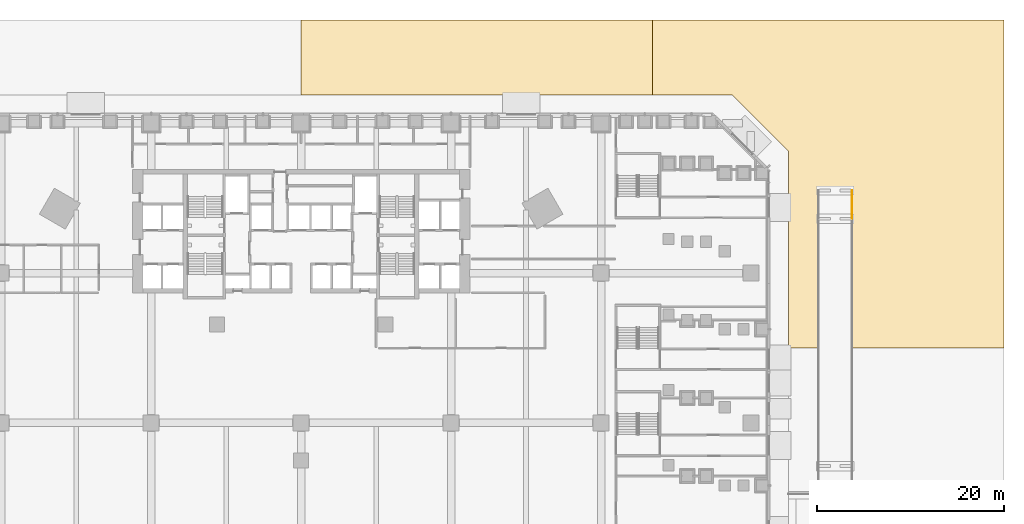
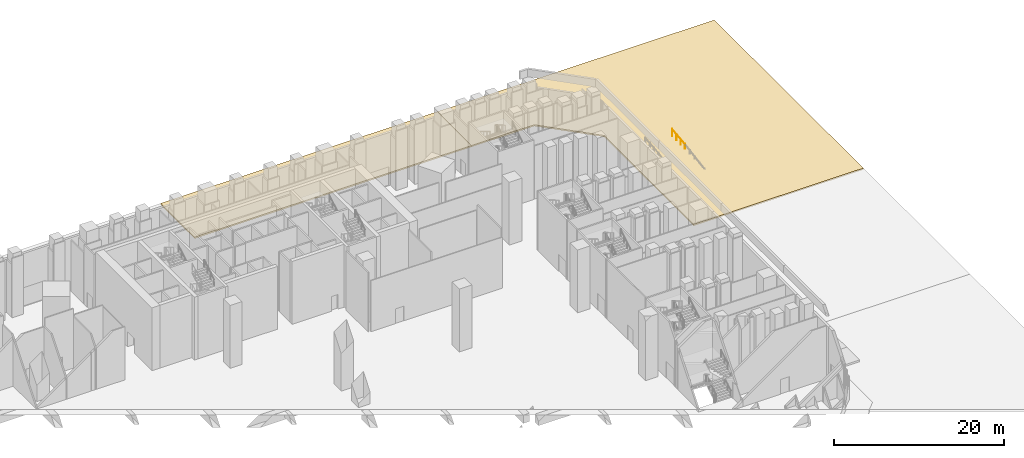
# One storey, part 51 of 51: 2 coverings, 1 railing.
"""IFC4 building model written with IfcOpenShell, lengths in metres."""

from ifc_helpers import new_model, si_unit, direction, frame, origin, origin_2d, place, context, subcontext, project, spatial, polyline, circle, outline, extrude, material, layer, layer_set, type_object, element, save


model = new_model("IFC4")

# Units and contexts
model_context = context("Model", 3, precision=1e-05, world=origin(), true_north=direction((0.0, 1.0)))
body_context = subcontext(model_context, "Body", "Model", "MODEL_VIEW")
ifc_project = project(units=[si_unit("LENGTHUNIT", "METRE"), si_unit("AREAUNIT", "SQUARE_METRE"), si_unit("VOLUMEUNIT", "CUBIC_METRE"), si_unit("PLANEANGLEUNIT", "RADIAN"), si_unit("MASSUNIT", "GRAM", prefix="KILO")], contexts=[model_context])

# Site, building, storey
site_placement = place(None, origin())
site = spatial("IfcSite", under=ifc_project, at=site_placement, CompositionType="ELEMENT")
building_placement = place(site_placement, origin())
building = spatial("IfcBuilding", under=site, at=building_placement, Name="Calabash Gate Tower", CompositionType="ELEMENT")
storey_placement = place(building_placement, origin())
storey = spatial("IfcBuildingStorey", under=building, at=storey_placement, Name="L00", CompositionType="ELEMENT", Elevation=0.0)

# Coverings
ifc_material_1 = material(Name="Granite paving on compacted gravel", Category="masonry")
ifc_layer = layer(ifc_material_1, 0.199951171875)
ifc_layer_set = layer_set([ifc_layer], Name="Granite paving slab 200")
covering_type = type_object("IfcCoveringType", Name="Granite paving slab 200", PredefinedType="FLOORING", material=ifc_layer_set)
covering_1_placement = place(storey_placement, frame((0.0, 0.0, -0.199951171875)))
element("IfcCovering", 1, at=covering_1_placement, inside=storey, type_object=covering_type, Name="Plaza paving 7", PredefinedType="FLOORING", context=body_context, shape_type="SweptSolid", body=[
    extrude(outline(polyline([(0.0, 35.0), (0.0, 27.0), (37.5, 27.0), (37.5, 35.0), (0.0, 35.0)])), origin(), (0.0, 0.0, 1.0), 0.199951171875),
])
covering_2_placement = place(storey_placement, frame((0.0, 0.0, -0.199951171875)))
element("IfcCovering", 2, at=covering_2_placement, inside=storey, type_object=covering_type, Name="Plaza paving 10", PredefinedType="FLOORING", context=body_context, shape_type="SweptSolid", body=[
    extrude(outline(polyline([(52.0, 0.0), (75.0, 0.0), (75.0, 35.0), (37.5, 35.0), (37.5, 27.0), (46.0, 27.0), (52.0, 21.0), (52.0, 0.0)])), origin(), (0.0, 0.0, 1.0), 0.199951171875),
])

# Railing
ifc_material_2 = material(Name="Galvanised steel balusters", Category="steel")
railing_type = type_object("IfcRailingType", Name="Ramp guard RG1100", PredefinedType="GUARDRAIL", material=ifc_material_2)
railing_placement = place(storey_placement, frame((58.800048828125, 13.800048828125, -0.300048828125)))
element("IfcRailing", 3, at=railing_placement, inside=storey, type_object=railing_type, Name="Entry Ramp guard", PredefinedType="GUARDRAIL", context=body_context, shape_type="SweptSolid", body=[
    extrude(circle(Radius=0.02392578125, at=origin_2d()), frame((0.0, 0.0, 1.076171875), z_axis=(0.0, 0.995035586592, 0.0995197539), x_axis=(-1.0, 0.0, 0.0)), (0.0, 0.0, 1.0), 3.014892578125),
    extrude(circle(Radius=0.02099609375, at=origin_2d()), origin(), (0.0, 0.0, 1.0), 1.052001953125),
    extrude(circle(Radius=0.02099609375, at=origin_2d()), frame((0.0, 1.0, 0.10009765625)), (0.0, 0.0, 1.0), 1.052001953125),
    extrude(circle(Radius=0.02099609375, at=origin_2d()), frame((0.0, 2.0, 0.199951171875)), (0.0, 0.0, 1.0), 1.052001953125),
    extrude(circle(Radius=0.02099609375, at=origin_2d()), frame((0.0, 3.0, 0.300048828125)), (0.0, 0.0, 1.0), 1.052001953125),
])

save(model, "model.ifc")
